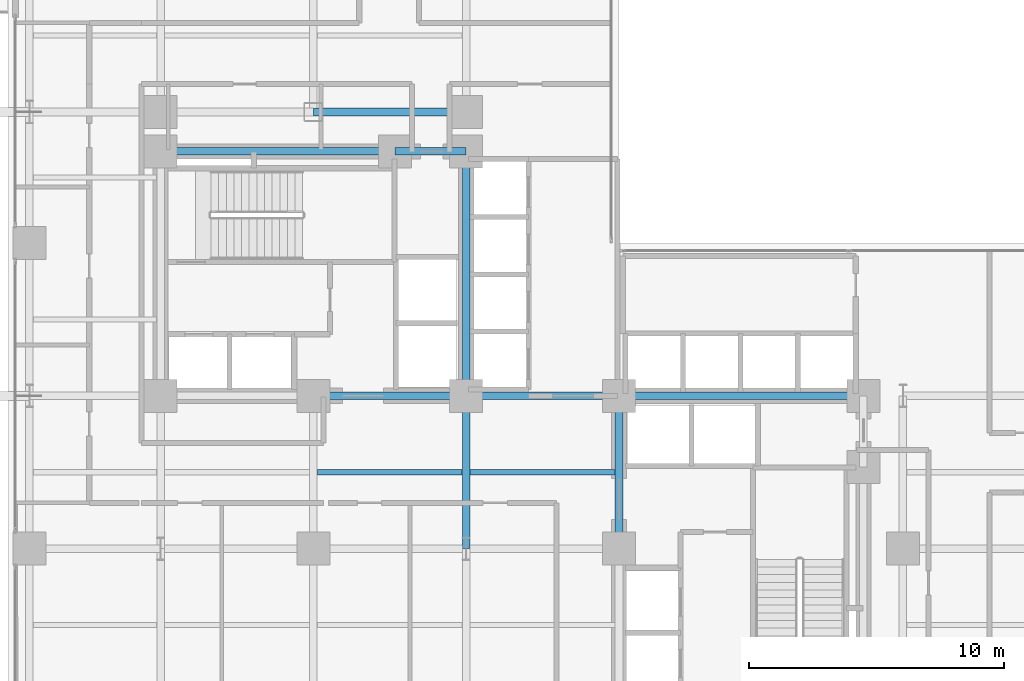
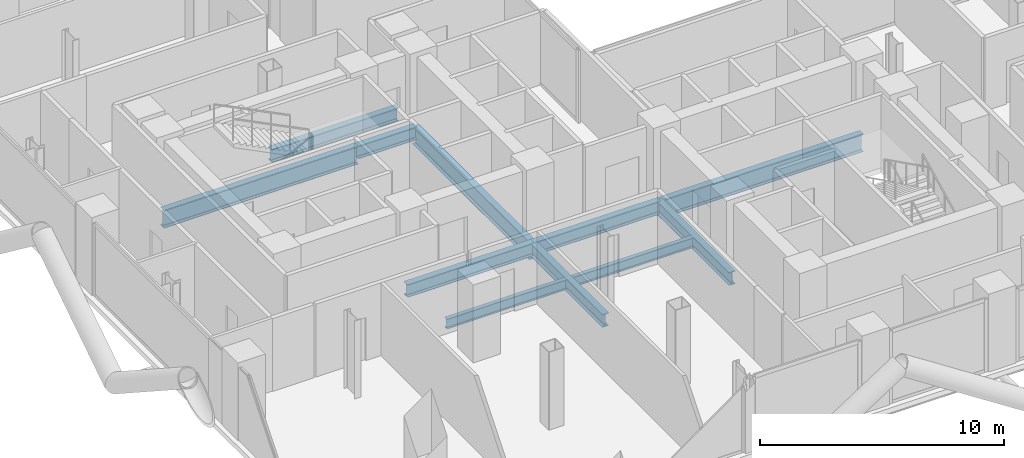
# One storey, part 6 of 27: 11 beams.
"""IFC4 building model written with IfcOpenShell, lengths in metres."""

from ifc_helpers import new_model, si_unit, direction, frame, origin, origin_2d, place, context, subcontext, project, spatial, i_section, extrude, material, material_profile, profile_set, type_object, element, save


model = new_model("IFC4")

# Units and contexts
model_context = context("Model", 3, precision=1e-05, world=origin(), true_north=direction((0.0, 1.0)))
body_context = subcontext(model_context, "Body", "Model", "MODEL_VIEW")
ifc_project = project(units=[si_unit("LENGTHUNIT", "METRE"), si_unit("AREAUNIT", "SQUARE_METRE"), si_unit("VOLUMEUNIT", "CUBIC_METRE"), si_unit("PLANEANGLEUNIT", "RADIAN"), si_unit("MASSUNIT", "GRAM", prefix="KILO"), si_unit("THERMODYNAMICTEMPERATUREUNIT", "KELVIN"), si_unit("POWERUNIT", "WATT")], contexts=[model_context])

# Site, building, storey
site_placement = place(None, origin())
site = spatial("IfcSite", under=ifc_project, at=site_placement, CompositionType="ELEMENT")
building_placement = place(site_placement, origin())
building = spatial("IfcBuilding", under=site, at=building_placement, Name="Svarakhadi Broadcast Tower", CompositionType="ELEMENT")
storey_placement = place(building_placement, frame((0.0, 0.0, 55.800048828125)))
storey = spatial("IfcBuildingStorey", under=building, at=storey_placement, Name="L12", CompositionType="ELEMENT", Elevation=55.800048828125)

# Beams
ifc_material_1 = material(Name="Steel S355J2 (IS 2062 E350C)", Category="steel")
ifc_material_profile_1 = material_profile(ifc_material_1, i_section(OverallWidth=0.199951171875, OverallDepth=0.5, WebThickness=0.01025390625, FlangeThickness=0.01611328125, FilletRadius=0.02099609375, at=origin_2d()), Name="NPB 500x200x91")
ifc_profile_set_1 = profile_set([ifc_material_profile_1], Name="Steel S355J2 (IS 2062 E350C)")
beam_type_1 = type_object("IfcBeamType", Name="Beam_NPB500", PredefinedType="BEAM", material=ifc_profile_set_1)
for number, where, z_axis, x_axis, name in (
    (1, (12.159912109375, 15.0, -0.5), (1.0, 0.0, 0.0), (0.0, 1.0, 0.0), "L12 Secondary Composite Beam SB015"),
    (2, (18.159912109375, 15.0, -0.5), (1.0, 0.0, 0.0), (0.0, 1.0, 0.0), "L12 Secondary Composite Beam SB021"),
):
    element("IfcBeam", number, at=place(storey_placement, frame(where, z_axis=z_axis, x_axis=x_axis)), inside=storey, type_object=beam_type_1, Name=name, PredefinedType="BEAM", context=body_context, shape_type="SweptSolid", body=[
        extrude(i_section(OverallWidth=0.199951171875, OverallDepth=0.5, WebThickness=0.01025390625, FlangeThickness=0.01611328125, FilletRadius=0.02099609375, at=origin_2d()), origin(), (0.0, 0.0, 1.0), 5.68017578125),
    ])
ifc_material_profile_2 = material_profile(ifc_material_1, i_section(OverallWidth=0.300048828125, OverallDepth=0.64990234375, WebThickness=0.01611328125, FlangeThickness=0.031005859375, FilletRadius=0.027099609375, at=origin_2d()), Name="WPB 650x300x225")
ifc_profile_set_2 = profile_set([ifc_material_profile_2], Name="Steel S355J2 (IS 2062 E350C)")
beam_type_2 = type_object("IfcBeamType", Name="Girder_WPB650", PredefinedType="USERDEFINED", material=ifc_profile_set_2)
for number, where, z_axis, x_axis, name in (
    (3, (12.0, 18.0, -0.574951171875), (1.0, 0.0, 0.0), (0.0, 1.0, 0.0), "L12 Primary E-W Girder G027"),
    (4, (18.0, 18.0, -0.574951171875), (1.0, 0.0, 0.0), (0.0, 1.0, 0.0), "L12 Primary E-W Girder G028"),
):
    element("IfcBeam", number, at=place(storey_placement, frame(where, z_axis=z_axis, x_axis=x_axis)), inside=storey, type_object=beam_type_2, Name=name, ObjectType="GIRDER", PredefinedType="USERDEFINED", context=body_context, shape_type="SweptSolid", body=[
        extrude(i_section(OverallWidth=0.300048828125, OverallDepth=0.64990234375, WebThickness=0.01611328125, FlangeThickness=0.031005859375, FilletRadius=0.027099609375, at=origin_2d()), origin(), (0.0, 0.0, 1.0), 6.0),
    ])
beam_1_placement = place(storey_placement, frame((15.199951171875, 27.60009765625, -0.574951171875), z_axis=(1.0, 0.0, 0.0), x_axis=(0.0, 1.0, 0.0)))
element("IfcBeam", 5, at=beam_1_placement, inside=storey, type_object=beam_type_2, Name="L12 Primary E-W Girder G033", ObjectType="GIRDER", PredefinedType="USERDEFINED", context=body_context, shape_type="SweptSolid", body=[
    extrude(i_section(OverallWidth=0.300048828125, OverallDepth=0.64990234375, WebThickness=0.01611328125, FlangeThickness=0.031005859375, FilletRadius=0.027099609375, at=origin_2d()), origin(), (0.0, 0.0, 1.0), 2.800048828125),
])
for number, where, z_axis, x_axis, name in (
    (6, (12.0, 29.14990234375, -0.574951171875), (1.0, 0.0, 0.0), (0.0, 1.0, 0.0), "L12 Primary E-W Girder G036"),
    (7, (18.0, 12.0, -0.574951171875), (0.0, 1.0, 0.0), (-1.0, 0.0, 0.0), "L12 Primary N-S Girder G066"),
    (8, (24.0, 12.0, -0.574951171875), (0.0, 1.0, 0.0), (-1.0, 0.0, 0.0), "L12 Primary N-S Girder G073"),
):
    element("IfcBeam", number, at=place(storey_placement, frame(where, z_axis=z_axis, x_axis=x_axis)), inside=storey, type_object=beam_type_2, Name=name, ObjectType="GIRDER", PredefinedType="USERDEFINED", context=body_context, shape_type="SweptSolid", body=[
        extrude(i_section(OverallWidth=0.300048828125, OverallDepth=0.64990234375, WebThickness=0.01611328125, FlangeThickness=0.031005859375, FilletRadius=0.027099609375, at=origin_2d()), origin(), (0.0, 0.0, 1.0), 6.0),
    ])
ifc_material_2 = material(Name="Steel S460ML (IS 2062 E450BR)", Category="steel")
ifc_material_profile_3 = material_profile(ifc_material_2, i_section(OverallWidth=0.300048828125, OverallDepth=0.89990234375, WebThickness=0.0185546875, FlangeThickness=0.034912109375, FilletRadius=0.030029296875, at=origin_2d()), Name="WPB 900x300x291")
ifc_profile_set_3 = profile_set([ifc_material_profile_3], Name="Steel S460ML (IS 2062 E450BR)")
beam_type_3 = type_object("IfcBeamType", Name="Girder_WPB900", PredefinedType="USERDEFINED", material=ifc_profile_set_3)
beam_2_placement = place(storey_placement, frame((24.0, 18.0, -0.699951171875), z_axis=(1.0, 0.0, 0.0), x_axis=(0.0, 1.0, 0.0)))
element("IfcBeam", 9, at=beam_2_placement, inside=storey, type_object=beam_type_3, Name="L12 Primary E-W Girder G029", ObjectType="GIRDER", PredefinedType="USERDEFINED", context=body_context, shape_type="SweptSolid", body=[
    extrude(i_section(OverallWidth=0.300048828125, OverallDepth=0.89990234375, WebThickness=0.0185546875, FlangeThickness=0.034912109375, FilletRadius=0.030029296875, at=origin_2d()), origin(), (0.0, 0.0, 1.0), 9.60009765625),
])
beam_3_placement = place(storey_placement, frame((6.0, 27.60009765625, -0.699951171875), z_axis=(1.0, 0.0, 0.0), x_axis=(0.0, 1.0, 0.0)))
element("IfcBeam", 10, at=beam_3_placement, inside=storey, type_object=beam_type_3, Name="L12 Primary E-W Girder G032", ObjectType="GIRDER", PredefinedType="USERDEFINED", context=body_context, shape_type="SweptSolid", body=[
    extrude(i_section(OverallWidth=0.300048828125, OverallDepth=0.89990234375, WebThickness=0.0185546875, FlangeThickness=0.034912109375, FilletRadius=0.030029296875, at=origin_2d()), origin(), (0.0, 0.0, 1.0), 9.199951171875),
])
beam_4_placement = place(storey_placement, frame((18.0, 18.0, -0.699951171875), z_axis=(0.0, 1.0, 0.0), x_axis=(-1.0, 0.0, 0.0)))
element("IfcBeam", 11, at=beam_4_placement, inside=storey, type_object=beam_type_3, Name="L12 Primary N-S Girder G067", ObjectType="GIRDER", PredefinedType="USERDEFINED", context=body_context, shape_type="SweptSolid", body=[
    extrude(i_section(OverallWidth=0.300048828125, OverallDepth=0.89990234375, WebThickness=0.0185546875, FlangeThickness=0.034912109375, FilletRadius=0.030029296875, at=origin_2d()), origin(), (0.0, 0.0, 1.0), 9.60009765625),
])

save(model, "model.ifc")
